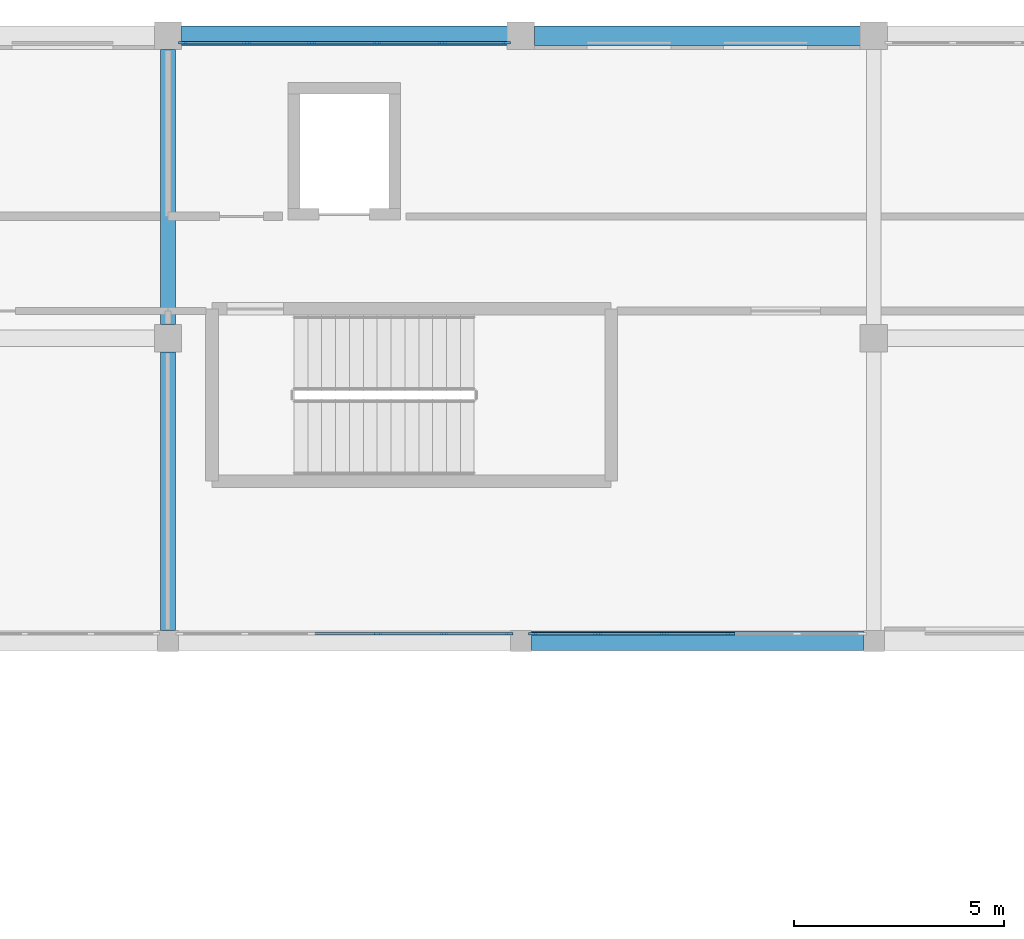
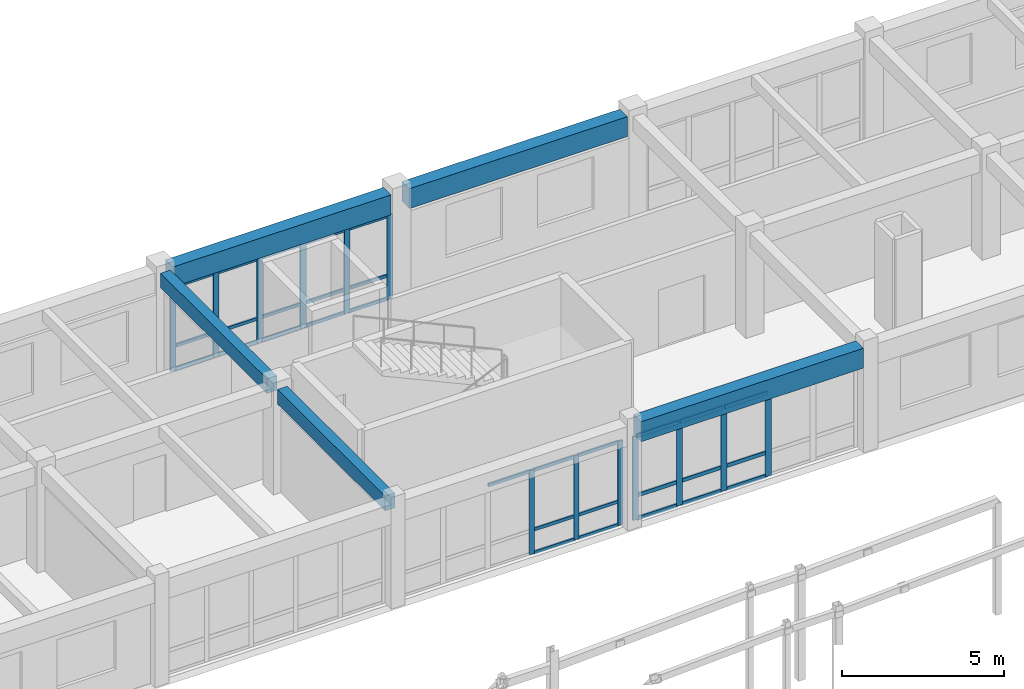
# One storey, part 38 of 89: 44 members, 5 beams, 3 elements without a shape of their own.
"""IFC4 building model written with IfcOpenShell, lengths in metres."""

from ifc_helpers import new_model, si_unit, direction, frame, origin, origin_2d, place, context, subcontext, project, spatial, rectangle, extrude, material, material_profile, profile_set, type_object, element, aggregate, save


model = new_model("IFC4")

# Units and contexts
model_context = context("Model", 3, precision=1e-05, world=origin(), true_north=direction((0.0, 1.0)))
body_context = subcontext(model_context, "Body", "Model", "MODEL_VIEW")
ifc_project = project(units=[si_unit("LENGTHUNIT", "METRE"), si_unit("AREAUNIT", "SQUARE_METRE"), si_unit("VOLUMEUNIT", "CUBIC_METRE"), si_unit("PLANEANGLEUNIT", "RADIAN"), si_unit("MASSUNIT", "GRAM", prefix="KILO")], contexts=[model_context])

# Site, building, storey
site_placement = place(None, origin())
site = spatial("IfcSite", under=ifc_project, at=site_placement, CompositionType="ELEMENT")
building_placement = place(site_placement, origin())
building = spatial("IfcBuilding", under=site, at=building_placement, Name="Malvenik Polytechnic", CompositionType="ELEMENT")
storey_placement = place(building_placement, frame((0.0, 0.0, 13.5)))
storey = spatial("IfcBuildingStorey", under=building, at=storey_placement, Name="L03", CompositionType="ELEMENT", Elevation=13.5)

# Curtain wall, members
ifc_material_1 = material(Name="Anodised aluminium 6060-T6", Category="aluminium")
curtain_wall_type = type_object("IfcCurtainWallType", Name="ARC-CW-CW-02", PredefinedType="NOTDEFINED", material=ifc_material_1)
curtain_wall_1_placement = place(storey_placement, origin())
curtain_wall_1 = element("IfcCurtainWall", 1, at=curtain_wall_1_placement, inside=storey, type_object=curtain_wall_type, Name="Unitised Curtain Wall CW-02 L03 #169", PredefinedType="NOTDEFINED")
ifc_material_2 = material(Name="Anodised aluminium", Category="aluminium")
ifc_material_profile_1 = material_profile(ifc_material_2, rectangle(XDim=0.06005859375, YDim=0.179931640625, at=origin_2d()), Name="ALU MULLION 60x180")
ifc_profile_set_1 = profile_set([ifc_material_profile_1], Name="Anodised aluminium")
member_type_1 = type_object("IfcMemberType", Name="ARC-CWM-180", PredefinedType="MULLION", material=ifc_profile_set_1)
member_1_placement = place(storey_placement, frame((58.52197265625, 115.3701171875, 0.0), z_axis=(0.0, 0.0, 1.0), x_axis=(0.0, -1.0, 0.0)))
member_1 = element("IfcMember", 2, at=member_1_placement, type_object=member_type_1, Name="CW-02 mullion 1", PredefinedType="MULLION", context=body_context, shape_type="SweptSolid", body=[
    extrude(rectangle(XDim=0.06005859375, YDim=0.179931640625, at=origin_2d()), origin(), (0.0, 0.0, 1.0), 3.159912109375),
])
member_2_placement = place(storey_placement, frame((56.97119140625, 115.3701171875, 0.0), z_axis=(0.0, 0.0, 1.0), x_axis=(0.0, -1.0, 0.0)))
member_2 = element("IfcMember", 3, at=member_2_placement, type_object=member_type_1, Name="CW-02 mullion 2", PredefinedType="MULLION", context=body_context, shape_type="SweptSolid", body=[
    extrude(rectangle(XDim=0.06005859375, YDim=0.179931640625, at=origin_2d()), origin(), (0.0, 0.0, 1.0), 3.159912109375),
])
member_3_placement = place(storey_placement, frame((55.390380859375, 115.3701171875, 0.0), z_axis=(0.0, 0.0, 1.0), x_axis=(0.0, -1.0, 0.0)))
member_3 = element("IfcMember", 4, at=member_3_placement, type_object=member_type_1, Name="CW-02 mullion 3", PredefinedType="MULLION", context=body_context, shape_type="SweptSolid", body=[
    extrude(rectangle(XDim=0.06005859375, YDim=0.179931640625, at=origin_2d()), origin(), (0.0, 0.0, 1.0), 3.159912109375),
])

curtain_wall_2_placement = place(storey_placement, origin())
curtain_wall_2 = element("IfcCurtainWall", 5, at=curtain_wall_2_placement, inside=storey, type_object=curtain_wall_type, Name="Unitised Curtain Wall CW-02 L03 #168", PredefinedType="NOTDEFINED")
ifc_material_profile_2 = material_profile(ifc_material_2, rectangle(XDim=0.06005859375, YDim=0.199951171875, at=origin_2d()), Name="ALU MULLION 60x200")
ifc_profile_set_2 = profile_set([ifc_material_profile_2], Name="Anodised aluminium")
member_type_2 = type_object("IfcMemberType", Name="ARC-CWM-200", PredefinedType="MULLION", material=ifc_profile_set_2)
member_4_placement = place(storey_placement, frame((63.790283203125, 115.3701171875, 0.0), z_axis=(0.0, 0.0, 1.0), x_axis=(0.0, -1.0, 0.0)))
member_4 = element("IfcMember", 6, at=member_4_placement, type_object=member_type_2, Name="CW-02 mullion 3", PredefinedType="MULLION", context=body_context, shape_type="SweptSolid", body=[
    extrude(rectangle(XDim=0.06005859375, YDim=0.199951171875, at=origin_2d()), origin(), (0.0, 0.0, 1.0), 3.159912109375),
])
member_5_placement = place(storey_placement, frame((62.209716796875, 115.3701171875, 0.0), z_axis=(0.0, 0.0, 1.0), x_axis=(0.0, -1.0, 0.0)))
member_5 = element("IfcMember", 7, at=member_5_placement, type_object=member_type_2, Name="CW-02 mullion 4", PredefinedType="MULLION", context=body_context, shape_type="SweptSolid", body=[
    extrude(rectangle(XDim=0.06005859375, YDim=0.199951171875, at=origin_2d()), origin(), (0.0, 0.0, 1.0), 3.159912109375),
])
member_6_placement = place(storey_placement, frame((60.62890625, 115.3701171875, 0.0), z_axis=(0.0, 0.0, 1.0), x_axis=(0.0, -1.0, 0.0)))
member_6 = element("IfcMember", 8, at=member_6_placement, type_object=member_type_2, Name="CW-02 mullion 5", PredefinedType="MULLION", context=body_context, shape_type="SweptSolid", body=[
    extrude(rectangle(XDim=0.06005859375, YDim=0.199951171875, at=origin_2d()), origin(), (0.0, 0.0, 1.0), 3.159912109375),
])
member_7_placement = place(storey_placement, frame((59.077880859375, 115.3701171875, 0.0), z_axis=(0.0, 0.0, 1.0), x_axis=(0.0, -1.0, 0.0)))
member_7 = element("IfcMember", 9, at=member_7_placement, type_object=member_type_2, Name="CW-02 mullion 6", PredefinedType="MULLION", context=body_context, shape_type="SweptSolid", body=[
    extrude(rectangle(XDim=0.06005859375, YDim=0.199951171875, at=origin_2d()), origin(), (0.0, 0.0, 1.0), 3.159912109375),
])

curtain_wall_3_placement = place(storey_placement, origin())
curtain_wall_3 = element("IfcCurtainWall", 10, at=curtain_wall_3_placement, inside=storey, type_object=curtain_wall_type, Name="Unitised Curtain Wall CW-02 L03 #177", PredefinedType="NOTDEFINED")
member_8_placement = place(storey_placement, frame((50.7529296875, 129.429931640625, 0.0), z_axis=(0.0, 0.0, 1.0), x_axis=(0.0, 1.0, 0.0)))
member_8 = element("IfcMember", 11, at=member_8_placement, type_object=member_type_2, Name="CW-02 mullion 1", PredefinedType="MULLION", context=body_context, shape_type="SweptSolid", body=[
    extrude(rectangle(XDim=0.06005859375, YDim=0.199951171875, at=origin_2d()), origin(), (0.0, 0.0, 1.0), 3.159912109375),
])
member_9_placement = place(storey_placement, frame((52.273681640625, 129.429931640625, 0.0), z_axis=(0.0, 0.0, 1.0), x_axis=(0.0, 1.0, 0.0)))
member_9 = element("IfcMember", 12, at=member_9_placement, type_object=member_type_2, Name="CW-02 mullion 2", PredefinedType="MULLION", context=body_context, shape_type="SweptSolid", body=[
    extrude(rectangle(XDim=0.06005859375, YDim=0.199951171875, at=origin_2d()), origin(), (0.0, 0.0, 1.0), 3.159912109375),
])
member_10_placement = place(storey_placement, frame((53.82470703125, 129.429931640625, 0.0), z_axis=(0.0, 0.0, 1.0), x_axis=(0.0, 1.0, 0.0)))
member_10 = element("IfcMember", 13, at=member_10_placement, type_object=member_type_2, Name="CW-02 mullion 3", PredefinedType="MULLION", context=body_context, shape_type="SweptSolid", body=[
    extrude(rectangle(XDim=0.06005859375, YDim=0.199951171875, at=origin_2d()), origin(), (0.0, 0.0, 1.0), 3.159912109375),
])
member_11_placement = place(storey_placement, frame((55.37548828125, 129.429931640625, 0.0), z_axis=(0.0, 0.0, 1.0), x_axis=(0.0, 1.0, 0.0)))
member_11 = element("IfcMember", 14, at=member_11_placement, type_object=member_type_2, Name="CW-02 mullion 4", PredefinedType="MULLION", context=body_context, shape_type="SweptSolid", body=[
    extrude(rectangle(XDim=0.06005859375, YDim=0.199951171875, at=origin_2d()), origin(), (0.0, 0.0, 1.0), 3.159912109375),
])
member_12_placement = place(storey_placement, frame((56.92626953125, 129.429931640625, 0.0), z_axis=(0.0, 0.0, 1.0), x_axis=(0.0, 1.0, 0.0)))
member_12 = element("IfcMember", 15, at=member_12_placement, type_object=member_type_2, Name="CW-02 mullion 5", PredefinedType="MULLION", context=body_context, shape_type="SweptSolid", body=[
    extrude(rectangle(XDim=0.06005859375, YDim=0.199951171875, at=origin_2d()), origin(), (0.0, 0.0, 1.0), 3.159912109375),
])
member_13_placement = place(storey_placement, frame((58.447021484375, 129.429931640625, 0.0), z_axis=(0.0, 0.0, 1.0), x_axis=(0.0, 1.0, 0.0)))
member_13 = element("IfcMember", 16, at=member_13_placement, type_object=member_type_2, Name="CW-02 mullion 6", PredefinedType="MULLION", context=body_context, shape_type="SweptSolid", body=[
    extrude(rectangle(XDim=0.06005859375, YDim=0.199951171875, at=origin_2d()), origin(), (0.0, 0.0, 1.0), 3.159912109375),
])

# Member
ifc_material_profile_3 = material_profile(ifc_material_2, rectangle(XDim=0.06005859375, YDim=0.1201171875, at=origin_2d()), Name="ALU TRANSOM 60x120")
ifc_profile_set_3 = profile_set([ifc_material_profile_3], Name="Anodised aluminium")
member_type_3 = type_object("IfcMemberType", Name="ARC-CWT-120", PredefinedType="USERDEFINED", material=ifc_profile_set_3)
member_14_placement = place(storey_placement, frame((58.491943359375, 115.3701171875, 0.030029296875), z_axis=(-1.0, 0.0, 0.0), x_axis=(0.0, -1.0, 0.0)))
member_14 = element("IfcMember", 17, at=member_14_placement, type_object=member_type_3, Name="CW-02 transom 1.1", ObjectType="TRANSOM", PredefinedType="USERDEFINED", context=body_context, shape_type="SweptSolid", body=[
    extrude(rectangle(XDim=0.06005859375, YDim=0.1201171875, at=origin_2d()), origin(), (0.0, 0.0, 1.0), 1.49072265625),
])

member_15_placement = place(storey_placement, frame((58.491943359375, 115.3701171875, 0.89990234375), z_axis=(-1.0, 0.0, 0.0), x_axis=(0.0, -1.0, 0.0)))
member_15 = element("IfcMember", 18, at=member_15_placement, type_object=member_type_3, Name="CW-02 transom 1.2", ObjectType="TRANSOM", PredefinedType="USERDEFINED", context=body_context, shape_type="SweptSolid", body=[
    extrude(rectangle(XDim=0.06005859375, YDim=0.1201171875, at=origin_2d()), origin(), (0.0, 0.0, 1.0), 1.49072265625),
])

member_16_placement = place(storey_placement, frame((58.491943359375, 115.3701171875, 3.1298828125), z_axis=(-1.0, 0.0, 0.0), x_axis=(0.0, -1.0, 0.0)))
member_16 = element("IfcMember", 19, at=member_16_placement, type_object=member_type_3, Name="CW-02 transom 1.3", ObjectType="TRANSOM", PredefinedType="USERDEFINED", context=body_context, shape_type="SweptSolid", body=[
    extrude(rectangle(XDim=0.06005859375, YDim=0.1201171875, at=origin_2d()), origin(), (0.0, 0.0, 1.0), 1.49072265625),
])

member_17_placement = place(storey_placement, frame((56.941162109375, 115.3701171875, 0.030029296875), z_axis=(-1.0, 0.0, 0.0), x_axis=(0.0, -1.0, 0.0)))
member_17 = element("IfcMember", 20, at=member_17_placement, type_object=member_type_3, Name="CW-02 transom 2.1", ObjectType="TRANSOM", PredefinedType="USERDEFINED", context=body_context, shape_type="SweptSolid", body=[
    extrude(rectangle(XDim=0.06005859375, YDim=0.1201171875, at=origin_2d()), origin(), (0.0, 0.0, 1.0), 1.520751953125),
])

member_18_placement = place(storey_placement, frame((56.941162109375, 115.3701171875, 0.89990234375), z_axis=(-1.0, 0.0, 0.0), x_axis=(0.0, -1.0, 0.0)))
member_18 = element("IfcMember", 21, at=member_18_placement, type_object=member_type_3, Name="CW-02 transom 2.2", ObjectType="TRANSOM", PredefinedType="USERDEFINED", context=body_context, shape_type="SweptSolid", body=[
    extrude(rectangle(XDim=0.06005859375, YDim=0.1201171875, at=origin_2d()), origin(), (0.0, 0.0, 1.0), 1.520751953125),
])

member_19_placement = place(storey_placement, frame((56.941162109375, 115.3701171875, 3.1298828125), z_axis=(-1.0, 0.0, 0.0), x_axis=(0.0, -1.0, 0.0)))
member_19 = element("IfcMember", 22, at=member_19_placement, type_object=member_type_3, Name="CW-02 transom 2.3", ObjectType="TRANSOM", PredefinedType="USERDEFINED", context=body_context, shape_type="SweptSolid", body=[
    extrude(rectangle(XDim=0.06005859375, YDim=0.1201171875, at=origin_2d()), origin(), (0.0, 0.0, 1.0), 1.520751953125),
])

member_20_placement = place(storey_placement, frame((55.3603515625, 115.3701171875, 3.1298828125), z_axis=(-1.0, 0.0, 0.0), x_axis=(0.0, -1.0, 0.0)))
member_20 = element("IfcMember", 23, at=member_20_placement, type_object=member_type_3, Name="CW-02 transom 3.3", ObjectType="TRANSOM", PredefinedType="USERDEFINED", context=body_context, shape_type="SweptSolid", body=[
    extrude(rectangle(XDim=0.06005859375, YDim=0.1201171875, at=origin_2d()), origin(), (0.0, 0.0, 1.0), 1.520751953125),
])

aggregate(curtain_wall_1, [member_1, member_2, member_3, member_14, member_15, member_16, member_17, member_18, member_19, member_20])

member_21_placement = place(storey_placement, frame((50.782958984375, 129.429931640625, 0.030029296875), z_axis=(1.0, 0.0, 0.0), x_axis=(0.0, 1.0, 0.0)))
member_21 = element("IfcMember", 24, at=member_21_placement, type_object=member_type_3, Name="CW-02 transom 1.1", ObjectType="TRANSOM", PredefinedType="USERDEFINED", context=body_context, shape_type="SweptSolid", body=[
    extrude(rectangle(XDim=0.06005859375, YDim=0.1201171875, at=origin_2d()), origin(), (0.0, 0.0, 1.0), 1.4609375),
])

member_22_placement = place(storey_placement, frame((50.782958984375, 129.429931640625, 0.89990234375), z_axis=(1.0, 0.0, 0.0), x_axis=(0.0, 1.0, 0.0)))
member_22 = element("IfcMember", 25, at=member_22_placement, type_object=member_type_3, Name="CW-02 transom 1.2", ObjectType="TRANSOM", PredefinedType="USERDEFINED", context=body_context, shape_type="SweptSolid", body=[
    extrude(rectangle(XDim=0.06005859375, YDim=0.1201171875, at=origin_2d()), origin(), (0.0, 0.0, 1.0), 1.4609375),
])

member_23_placement = place(storey_placement, frame((50.782958984375, 129.429931640625, 3.1298828125), z_axis=(1.0, 0.0, 0.0), x_axis=(0.0, 1.0, 0.0)))
member_23 = element("IfcMember", 26, at=member_23_placement, type_object=member_type_3, Name="CW-02 transom 1.3", ObjectType="TRANSOM", PredefinedType="USERDEFINED", context=body_context, shape_type="SweptSolid", body=[
    extrude(rectangle(XDim=0.06005859375, YDim=0.1201171875, at=origin_2d()), origin(), (0.0, 0.0, 1.0), 1.4609375),
])

member_24_placement = place(storey_placement, frame((52.3037109375, 129.429931640625, 0.030029296875), z_axis=(1.0, 0.0, 0.0), x_axis=(0.0, 1.0, 0.0)))
member_24 = element("IfcMember", 27, at=member_24_placement, type_object=member_type_3, Name="CW-02 transom 2.1", ObjectType="TRANSOM", PredefinedType="USERDEFINED", context=body_context, shape_type="SweptSolid", body=[
    extrude(rectangle(XDim=0.06005859375, YDim=0.1201171875, at=origin_2d()), origin(), (0.0, 0.0, 1.0), 1.490966796875),
])

member_25_placement = place(storey_placement, frame((52.3037109375, 129.429931640625, 0.89990234375), z_axis=(1.0, 0.0, 0.0), x_axis=(0.0, 1.0, 0.0)))
member_25 = element("IfcMember", 28, at=member_25_placement, type_object=member_type_3, Name="CW-02 transom 2.2", ObjectType="TRANSOM", PredefinedType="USERDEFINED", context=body_context, shape_type="SweptSolid", body=[
    extrude(rectangle(XDim=0.06005859375, YDim=0.1201171875, at=origin_2d()), origin(), (0.0, 0.0, 1.0), 1.490966796875),
])

member_26_placement = place(storey_placement, frame((52.3037109375, 129.429931640625, 3.1298828125), z_axis=(1.0, 0.0, 0.0), x_axis=(0.0, 1.0, 0.0)))
member_26 = element("IfcMember", 29, at=member_26_placement, type_object=member_type_3, Name="CW-02 transom 2.3", ObjectType="TRANSOM", PredefinedType="USERDEFINED", context=body_context, shape_type="SweptSolid", body=[
    extrude(rectangle(XDim=0.06005859375, YDim=0.1201171875, at=origin_2d()), origin(), (0.0, 0.0, 1.0), 1.490966796875),
])

member_27_placement = place(storey_placement, frame((53.8544921875, 129.429931640625, 0.030029296875), z_axis=(1.0, 0.0, 0.0), x_axis=(0.0, 1.0, 0.0)))
member_27 = element("IfcMember", 30, at=member_27_placement, type_object=member_type_3, Name="CW-02 transom 3.1", ObjectType="TRANSOM", PredefinedType="USERDEFINED", context=body_context, shape_type="SweptSolid", body=[
    extrude(rectangle(XDim=0.06005859375, YDim=0.1201171875, at=origin_2d()), origin(), (0.0, 0.0, 1.0), 1.490966796875),
])

member_28_placement = place(storey_placement, frame((53.8544921875, 129.429931640625, 0.89990234375), z_axis=(1.0, 0.0, 0.0), x_axis=(0.0, 1.0, 0.0)))
member_28 = element("IfcMember", 31, at=member_28_placement, type_object=member_type_3, Name="CW-02 transom 3.2", ObjectType="TRANSOM", PredefinedType="USERDEFINED", context=body_context, shape_type="SweptSolid", body=[
    extrude(rectangle(XDim=0.06005859375, YDim=0.1201171875, at=origin_2d()), origin(), (0.0, 0.0, 1.0), 1.490966796875),
])

member_29_placement = place(storey_placement, frame((53.8544921875, 129.429931640625, 3.1298828125), z_axis=(1.0, 0.0, 0.0), x_axis=(0.0, 1.0, 0.0)))
member_29 = element("IfcMember", 32, at=member_29_placement, type_object=member_type_3, Name="CW-02 transom 3.3", ObjectType="TRANSOM", PredefinedType="USERDEFINED", context=body_context, shape_type="SweptSolid", body=[
    extrude(rectangle(XDim=0.06005859375, YDim=0.1201171875, at=origin_2d()), origin(), (0.0, 0.0, 1.0), 1.490966796875),
])

member_30_placement = place(storey_placement, frame((55.405517578125, 129.429931640625, 0.030029296875), z_axis=(1.0, 0.0, 0.0), x_axis=(0.0, 1.0, 0.0)))
member_30 = element("IfcMember", 33, at=member_30_placement, type_object=member_type_3, Name="CW-02 transom 4.1", ObjectType="TRANSOM", PredefinedType="USERDEFINED", context=body_context, shape_type="SweptSolid", body=[
    extrude(rectangle(XDim=0.06005859375, YDim=0.1201171875, at=origin_2d()), origin(), (0.0, 0.0, 1.0), 1.49072265625),
])

member_31_placement = place(storey_placement, frame((55.405517578125, 129.429931640625, 0.89990234375), z_axis=(1.0, 0.0, 0.0), x_axis=(0.0, 1.0, 0.0)))
member_31 = element("IfcMember", 34, at=member_31_placement, type_object=member_type_3, Name="CW-02 transom 4.2", ObjectType="TRANSOM", PredefinedType="USERDEFINED", context=body_context, shape_type="SweptSolid", body=[
    extrude(rectangle(XDim=0.06005859375, YDim=0.1201171875, at=origin_2d()), origin(), (0.0, 0.0, 1.0), 1.49072265625),
])

member_32_placement = place(storey_placement, frame((55.405517578125, 129.429931640625, 3.1298828125), z_axis=(1.0, 0.0, 0.0), x_axis=(0.0, 1.0, 0.0)))
member_32 = element("IfcMember", 35, at=member_32_placement, type_object=member_type_3, Name="CW-02 transom 4.3", ObjectType="TRANSOM", PredefinedType="USERDEFINED", context=body_context, shape_type="SweptSolid", body=[
    extrude(rectangle(XDim=0.06005859375, YDim=0.1201171875, at=origin_2d()), origin(), (0.0, 0.0, 1.0), 1.49072265625),
])

member_33_placement = place(storey_placement, frame((56.956298828125, 129.429931640625, 0.030029296875), z_axis=(1.0, 0.0, 0.0), x_axis=(0.0, 1.0, 0.0)))
member_33 = element("IfcMember", 36, at=member_33_placement, type_object=member_type_3, Name="CW-02 transom 5.1", ObjectType="TRANSOM", PredefinedType="USERDEFINED", context=body_context, shape_type="SweptSolid", body=[
    extrude(rectangle(XDim=0.06005859375, YDim=0.1201171875, at=origin_2d()), origin(), (0.0, 0.0, 1.0), 1.460693359375),
])

member_34_placement = place(storey_placement, frame((56.956298828125, 129.429931640625, 0.89990234375), z_axis=(1.0, 0.0, 0.0), x_axis=(0.0, 1.0, 0.0)))
member_34 = element("IfcMember", 37, at=member_34_placement, type_object=member_type_3, Name="CW-02 transom 5.2", ObjectType="TRANSOM", PredefinedType="USERDEFINED", context=body_context, shape_type="SweptSolid", body=[
    extrude(rectangle(XDim=0.06005859375, YDim=0.1201171875, at=origin_2d()), origin(), (0.0, 0.0, 1.0), 1.460693359375),
])

member_35_placement = place(storey_placement, frame((56.956298828125, 129.429931640625, 3.1298828125), z_axis=(1.0, 0.0, 0.0), x_axis=(0.0, 1.0, 0.0)))
member_35 = element("IfcMember", 38, at=member_35_placement, type_object=member_type_3, Name="CW-02 transom 5.3", ObjectType="TRANSOM", PredefinedType="USERDEFINED", context=body_context, shape_type="SweptSolid", body=[
    extrude(rectangle(XDim=0.06005859375, YDim=0.1201171875, at=origin_2d()), origin(), (0.0, 0.0, 1.0), 1.460693359375),
])

aggregate(curtain_wall_3, [member_8, member_9, member_10, member_11, member_12, member_13, member_21, member_22, member_23, member_24, member_25, member_26, member_27, member_28, member_29, member_30, member_31, member_32, member_33, member_34, member_35])

ifc_material_profile_4 = material_profile(ifc_material_2, rectangle(XDim=0.06005859375, YDim=0.139892578125, at=origin_2d()), Name="ALU TRANSOM 60x140")
ifc_profile_set_4 = profile_set([ifc_material_profile_4], Name="Anodised aluminium")
member_type_4 = type_object("IfcMemberType", Name="ARC-CWT-140", PredefinedType="USERDEFINED", material=ifc_profile_set_4)
member_36_placement = place(storey_placement, frame((63.760498046875, 115.3701171875, 0.030029296875), z_axis=(-1.0, 0.0, 0.0), x_axis=(0.0, -1.0, 0.0)))
member_36 = element("IfcMember", 39, at=member_36_placement, type_object=member_type_4, Name="CW-02 transom 3.1", ObjectType="TRANSOM", PredefinedType="USERDEFINED", context=body_context, shape_type="SweptSolid", body=[
    extrude(rectangle(XDim=0.06005859375, YDim=0.139892578125, at=origin_2d()), origin(), (0.0, 0.0, 1.0), 1.52099609375),
])

member_37_placement = place(storey_placement, frame((63.760498046875, 115.3701171875, 0.89990234375), z_axis=(-1.0, 0.0, 0.0), x_axis=(0.0, -1.0, 0.0)))
member_37 = element("IfcMember", 40, at=member_37_placement, type_object=member_type_4, Name="CW-02 transom 3.2", ObjectType="TRANSOM", PredefinedType="USERDEFINED", context=body_context, shape_type="SweptSolid", body=[
    extrude(rectangle(XDim=0.06005859375, YDim=0.139892578125, at=origin_2d()), origin(), (0.0, 0.0, 1.0), 1.52099609375),
])

member_38_placement = place(storey_placement, frame((63.760498046875, 115.3701171875, 3.1298828125), z_axis=(-1.0, 0.0, 0.0), x_axis=(0.0, -1.0, 0.0)))
member_38 = element("IfcMember", 41, at=member_38_placement, type_object=member_type_4, Name="CW-02 transom 3.3", ObjectType="TRANSOM", PredefinedType="USERDEFINED", context=body_context, shape_type="SweptSolid", body=[
    extrude(rectangle(XDim=0.06005859375, YDim=0.139892578125, at=origin_2d()), origin(), (0.0, 0.0, 1.0), 1.52099609375),
])

member_39_placement = place(storey_placement, frame((62.1796875, 115.3701171875, 0.030029296875), z_axis=(-1.0, 0.0, 0.0), x_axis=(0.0, -1.0, 0.0)))
member_39 = element("IfcMember", 42, at=member_39_placement, type_object=member_type_4, Name="CW-02 transom 4.1", ObjectType="TRANSOM", PredefinedType="USERDEFINED", context=body_context, shape_type="SweptSolid", body=[
    extrude(rectangle(XDim=0.06005859375, YDim=0.139892578125, at=origin_2d()), origin(), (0.0, 0.0, 1.0), 1.52099609375),
])

member_40_placement = place(storey_placement, frame((62.1796875, 115.3701171875, 0.89990234375), z_axis=(-1.0, 0.0, 0.0), x_axis=(0.0, -1.0, 0.0)))
member_40 = element("IfcMember", 43, at=member_40_placement, type_object=member_type_4, Name="CW-02 transom 4.2", ObjectType="TRANSOM", PredefinedType="USERDEFINED", context=body_context, shape_type="SweptSolid", body=[
    extrude(rectangle(XDim=0.06005859375, YDim=0.139892578125, at=origin_2d()), origin(), (0.0, 0.0, 1.0), 1.52099609375),
])

member_41_placement = place(storey_placement, frame((62.1796875, 115.3701171875, 3.1298828125), z_axis=(-1.0, 0.0, 0.0), x_axis=(0.0, -1.0, 0.0)))
member_41 = element("IfcMember", 44, at=member_41_placement, type_object=member_type_4, Name="CW-02 transom 4.3", ObjectType="TRANSOM", PredefinedType="USERDEFINED", context=body_context, shape_type="SweptSolid", body=[
    extrude(rectangle(XDim=0.06005859375, YDim=0.139892578125, at=origin_2d()), origin(), (0.0, 0.0, 1.0), 1.52099609375),
])

member_42_placement = place(storey_placement, frame((60.598876953125, 115.3701171875, 0.030029296875), z_axis=(-1.0, 0.0, 0.0), x_axis=(0.0, -1.0, 0.0)))
member_42 = element("IfcMember", 45, at=member_42_placement, type_object=member_type_4, Name="CW-02 transom 5.1", ObjectType="TRANSOM", PredefinedType="USERDEFINED", context=body_context, shape_type="SweptSolid", body=[
    extrude(rectangle(XDim=0.06005859375, YDim=0.139892578125, at=origin_2d()), origin(), (0.0, 0.0, 1.0), 1.490966796875),
])

member_43_placement = place(storey_placement, frame((60.598876953125, 115.3701171875, 0.89990234375), z_axis=(-1.0, 0.0, 0.0), x_axis=(0.0, -1.0, 0.0)))
member_43 = element("IfcMember", 46, at=member_43_placement, type_object=member_type_4, Name="CW-02 transom 5.2", ObjectType="TRANSOM", PredefinedType="USERDEFINED", context=body_context, shape_type="SweptSolid", body=[
    extrude(rectangle(XDim=0.06005859375, YDim=0.139892578125, at=origin_2d()), origin(), (0.0, 0.0, 1.0), 1.490966796875),
])

member_44_placement = place(storey_placement, frame((60.598876953125, 115.3701171875, 3.1298828125), z_axis=(-1.0, 0.0, 0.0), x_axis=(0.0, -1.0, 0.0)))
member_44 = element("IfcMember", 47, at=member_44_placement, type_object=member_type_4, Name="CW-02 transom 5.3", ObjectType="TRANSOM", PredefinedType="USERDEFINED", context=body_context, shape_type="SweptSolid", body=[
    extrude(rectangle(XDim=0.06005859375, YDim=0.139892578125, at=origin_2d()), origin(), (0.0, 0.0, 1.0), 1.490966796875),
])

aggregate(curtain_wall_2, [member_4, member_5, member_6, member_7, member_36, member_37, member_38, member_39, member_40, member_41, member_42, member_43, member_44])

# Beams
ifc_material_3 = material(Name="Concrete C35/45", Category="concrete")
ifc_material_profile_5 = material_profile(ifc_material_3, rectangle(XDim=0.35009765625, YDim=0.550048828125, at=origin_2d()), Name="RC BM 350x550")
ifc_profile_set_5 = profile_set([ifc_material_profile_5], Name="Concrete C35/45")
beam_type_1 = type_object("IfcBeamType", Name="STR-BM-B-08", PredefinedType="BEAM", material=ifc_profile_set_5)
beam_1_placement = place(storey_placement, frame((50.39990234375, 115.447998046875, 3.64501953125), z_axis=(0.0, 1.0, 0.0), x_axis=(-1.0, 0.0, 0.0)))
element("IfcBeam", 48, at=beam_1_placement, inside=storey, type_object=beam_type_1, Name="Transverse Beam B-08 L03 #1746", PredefinedType="BEAM", context=body_context, shape_type="SweptSolid", body=[
    extrude(rectangle(XDim=0.35009765625, YDim=0.550048828125, at=origin_2d()), origin(), (0.0, 0.0, 1.0), 6.62890625),
])
beam_2_placement = place(storey_placement, frame((50.39990234375, 122.722900390625, 3.64501953125), z_axis=(0.0, 1.0, 0.0), x_axis=(-1.0, 0.0, 0.0)))
element("IfcBeam", 49, at=beam_2_placement, inside=storey, type_object=beam_type_1, Name="Transverse Beam B-08 L03 #1747", PredefinedType="BEAM", context=body_context, shape_type="SweptSolid", body=[
    extrude(rectangle(XDim=0.35009765625, YDim=0.550048828125, at=origin_2d()), origin(), (0.0, 0.0, 1.0), 6.55419921875),
])
ifc_material_4 = material(Name="Precast concrete C40/50", Category="concrete")
ifc_material_profile_6 = material_profile(ifc_material_4, rectangle(XDim=0.4599609375, YDim=0.75, at=origin_2d()), Name="PC SPN 460x750")
ifc_profile_set_6 = profile_set([ifc_material_profile_6], Name="Precast concrete C40/50")
beam_type_2 = type_object("IfcBeamType", Name="STR-BM-SP-02", PredefinedType="SPANDREL", material=ifc_profile_set_6)
beam_3_placement = place(storey_placement, frame((59.048095703125, 115.199951171875, 3.544921875), z_axis=(1.0, 0.0, 0.0), x_axis=(0.0, 1.0, 0.0)))
element("IfcBeam", 50, at=beam_3_placement, inside=storey, type_object=beam_type_2, Name="Primary Beam SP-02 L03 #1684", PredefinedType="SPANDREL", context=body_context, shape_type="SweptSolid", body=[
    extrude(rectangle(XDim=0.4599609375, YDim=0.75, at=origin_2d()), origin(), (0.0, 0.0, 1.0), 7.90380859375),
])
beam_4_placement = place(storey_placement, frame((50.722900390625, 129.60009765625, 3.544921875), z_axis=(1.0, 0.0, 0.0), x_axis=(0.0, 1.0, 0.0)))
element("IfcBeam", 51, at=beam_4_placement, inside=storey, type_object=beam_type_2, Name="Primary Beam SP-02 L03 #1709", PredefinedType="SPANDREL", context=body_context, shape_type="SweptSolid", body=[
    extrude(rectangle(XDim=0.4599609375, YDim=0.75, at=origin_2d()), origin(), (0.0, 0.0, 1.0), 7.754150390625),
])
beam_5_placement = place(storey_placement, frame((59.123046875, 129.60009765625, 3.544921875), z_axis=(1.0, 0.0, 0.0), x_axis=(0.0, 1.0, 0.0)))
element("IfcBeam", 52, at=beam_5_placement, inside=storey, type_object=beam_type_2, Name="Primary Beam SP-02 L03 #1710", PredefinedType="SPANDREL", context=body_context, shape_type="SweptSolid", body=[
    extrude(rectangle(XDim=0.4599609375, YDim=0.75, at=origin_2d()), origin(), (0.0, 0.0, 1.0), 7.75390625),
])

save(model, "model.ifc")
